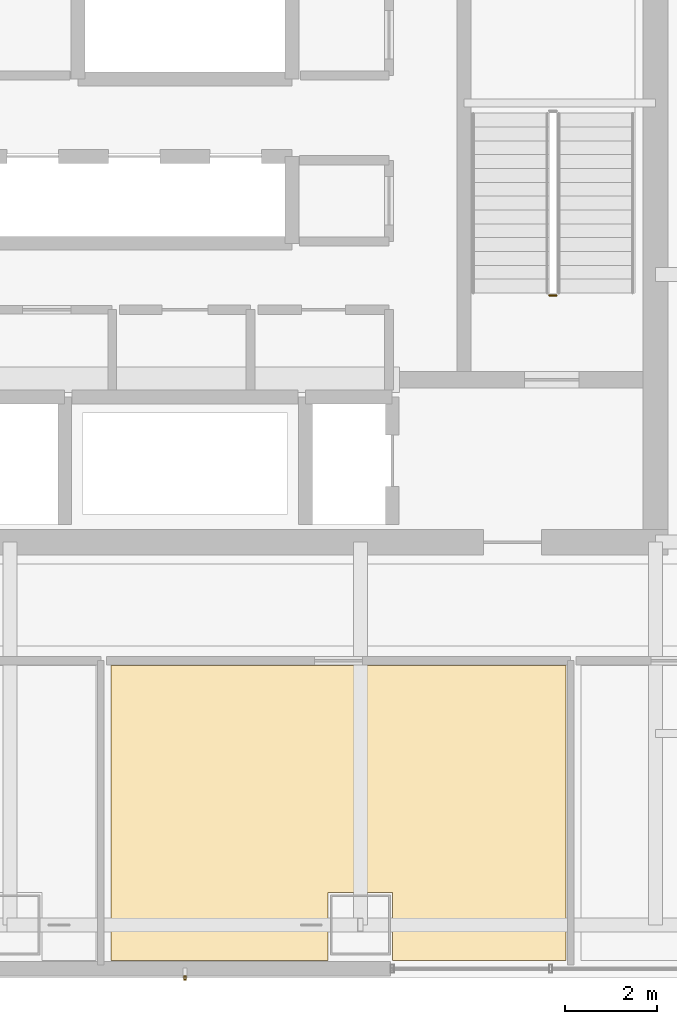
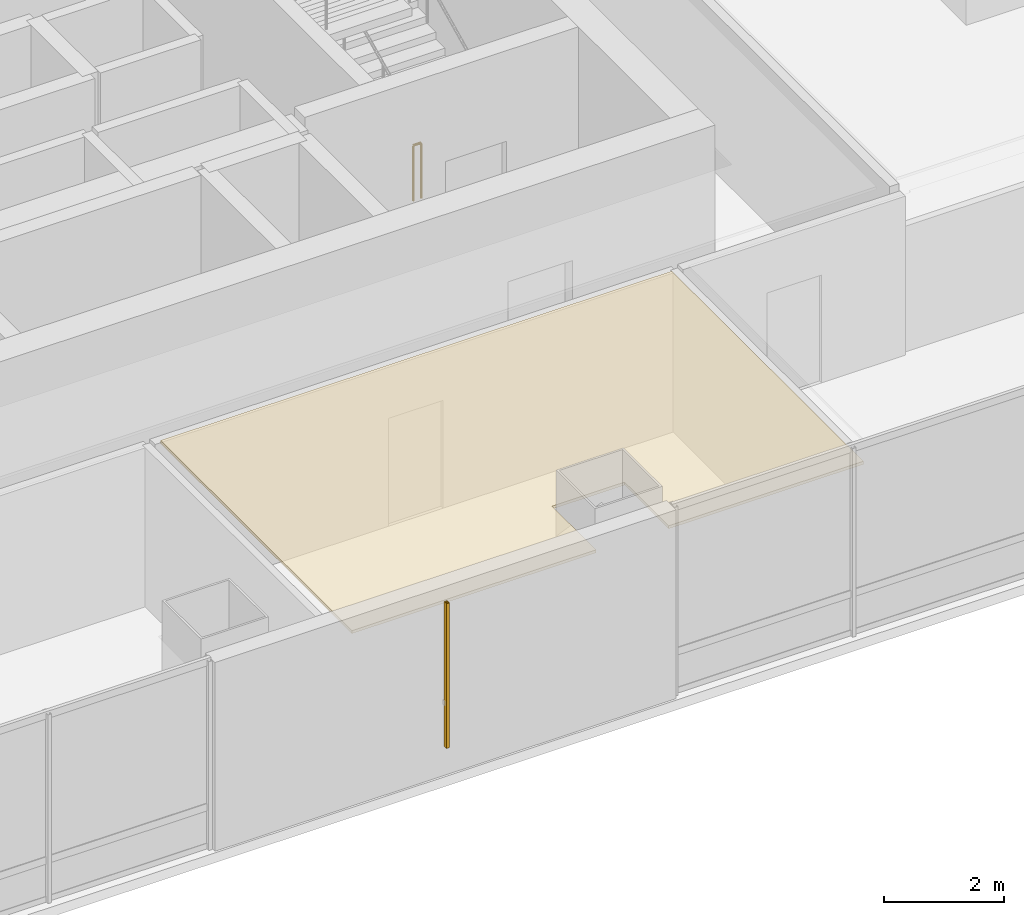
# One storey, part 37 of 44: 1 covering, 1 railing, 1 shading device.
"""IFC4 building model written with IfcOpenShell, lengths in metres."""

from ifc_helpers import new_model, si_unit, direction, frame, origin, origin_2d, place, context, subcontext, project, spatial, polyline, hollow_rectangle, circle, outline, extrude, material, layer, layer_set, material_profile, profile_set, type_object, element, save


model = new_model("IFC4")

# Units and contexts
model_context = context("Model", 3, precision=1e-05, world=origin(), true_north=direction((0.0, 1.0)))
body_context = subcontext(model_context, "Body", "Model", "MODEL_VIEW")
ifc_project = project(units=[si_unit("LENGTHUNIT", "METRE"), si_unit("AREAUNIT", "SQUARE_METRE"), si_unit("VOLUMEUNIT", "CUBIC_METRE"), si_unit("PLANEANGLEUNIT", "RADIAN"), si_unit("MASSUNIT", "GRAM", prefix="KILO")], contexts=[model_context])

# Site, building, storey
site_placement = place(None, origin())
site = spatial("IfcSite", under=ifc_project, at=site_placement, CompositionType="ELEMENT")
building_placement = place(site_placement, origin())
building = spatial("IfcBuilding", under=site, at=building_placement, Name="Punatoya Terracotta Tower", CompositionType="ELEMENT")
storey_placement = place(building_placement, frame((0.0, 0.0, 267.60009765625)))
storey = spatial("IfcBuildingStorey", under=building, at=storey_placement, Name="L63", CompositionType="ELEMENT", Elevation=267.60009765625)

# Covering
ifc_material_1 = material(Name="Acoustic Mineral Fibre Ceiling")
ifc_layer = layer(ifc_material_1, 0.06005859375)
ifc_layer_set = layer_set([ifc_layer], Name="Acoustic Mineral Fibre Ceiling")
covering_type = type_object("IfcCoveringType", Name="COV-CEIL-60", PredefinedType="CEILING", material=ifc_layer_set)
covering_placement = place(storey_placement, frame((0.0, 0.0, 3.239990234375)))
element("IfcCovering", 1, at=covering_placement, inside=storey, type_object=covering_type, Name="L63 Open-Plan Cartography Reference Library Acoustic Ceiling", PredefinedType="CEILING", context=body_context, shape_type="SweptSolid", body=[
    extrude(outline(polyline([(3.10009765625, -18.27001953125), (3.10009765625, -16.800048828125), (4.5, -16.800048828125), (4.5, -18.27001953125), (8.259033203125, -18.27001953125), (8.259033203125, -11.8701171875), (-1.60693359375, -11.8701171875), (-1.60693359375, -18.27001953125), (3.10009765625, -18.27001953125)])), origin(), (0.0, 0.0, 1.0), 0.059814453125),
])

# Railing
ifc_material_2 = material(Name="Steel S355", Category="steel")
railing_type = type_object("IfcRailingType", Name="RLG-GRD-1150", PredefinedType="GUARDRAIL", material=ifc_material_2)
railing_placement = place(storey_placement, frame((8.050048828125, -3.85009765625, 0.0)))
element("IfcRailing", 2, at=railing_placement, inside=storey, type_object=railing_type, Name="L63 ST-2 stair guard 4", PredefinedType="GUARDRAIL", context=body_context, shape_type="SweptSolid", body=[
    extrude(circle(Radius=0.02392578125, at=origin_2d()), frame((0.0, 0.0, 1.1259765625), z_axis=(-1.0, 0.0, 0.0), x_axis=(0.0, -1.0, 0.0)), (0.0, 0.0, 1.0), 0.150146484375),
    extrude(circle(Radius=0.02099609375, at=origin_2d()), origin(), (0.0, 0.0, 1.0), 1.101806640625),
    extrude(circle(Radius=0.02099609375, at=origin_2d()), frame((-0.150146484375, 0.0, 0.0)), (0.0, 0.0, 1.0), 1.101806640625),
])

# Shading device
ifc_material_3 = material(Name="Architectural Fired Terracotta", Category="masonry")
ifc_material_profile = material_profile(ifc_material_3, hollow_rectangle(XDim=0.06005859375, YDim=0.090087890625, WallThickness=0.013916015625, at=origin_2d()))
ifc_profile_set = profile_set([ifc_material_profile], Name="Architectural Fired Terracotta")
shading_device_type = type_object("IfcShadingDeviceType", Name="SHD-JALI-90", PredefinedType="JALOUSIE", material=ifc_profile_set)
shading_device_placement = place(storey_placement, frame((0.0, -18.64990234375, 0.599853515625), z_axis=(0.0, 0.0, 1.0), x_axis=(1.0, 0.0, 0.0)))
element("IfcShadingDevice", 3, at=shading_device_placement, inside=storey, type_object=shading_device_type, Name="L63 Braced Bay Terracotta Jali Fin S1", PredefinedType="JALOUSIE", context=body_context, shape_type="SweptSolid", body=[
    extrude(hollow_rectangle(XDim=0.06005859375, YDim=0.090087890625, WallThickness=0.013916015625, at=origin_2d()), origin(), (0.0, 0.0, 1.0), 2.949951171875),
])

save(model, "model.ifc")
